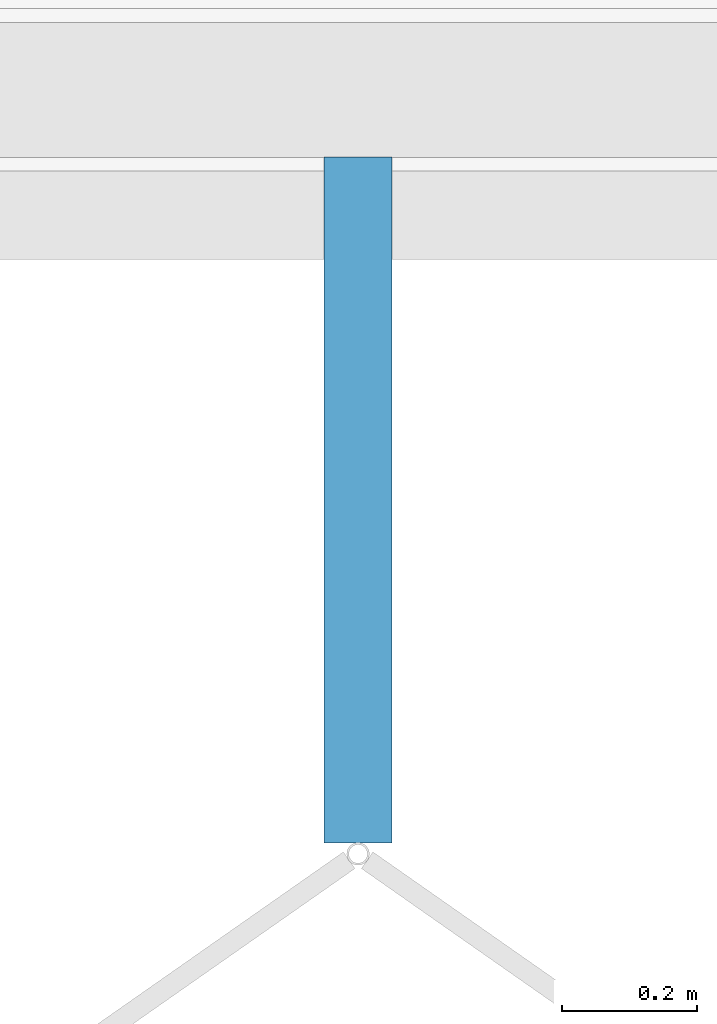
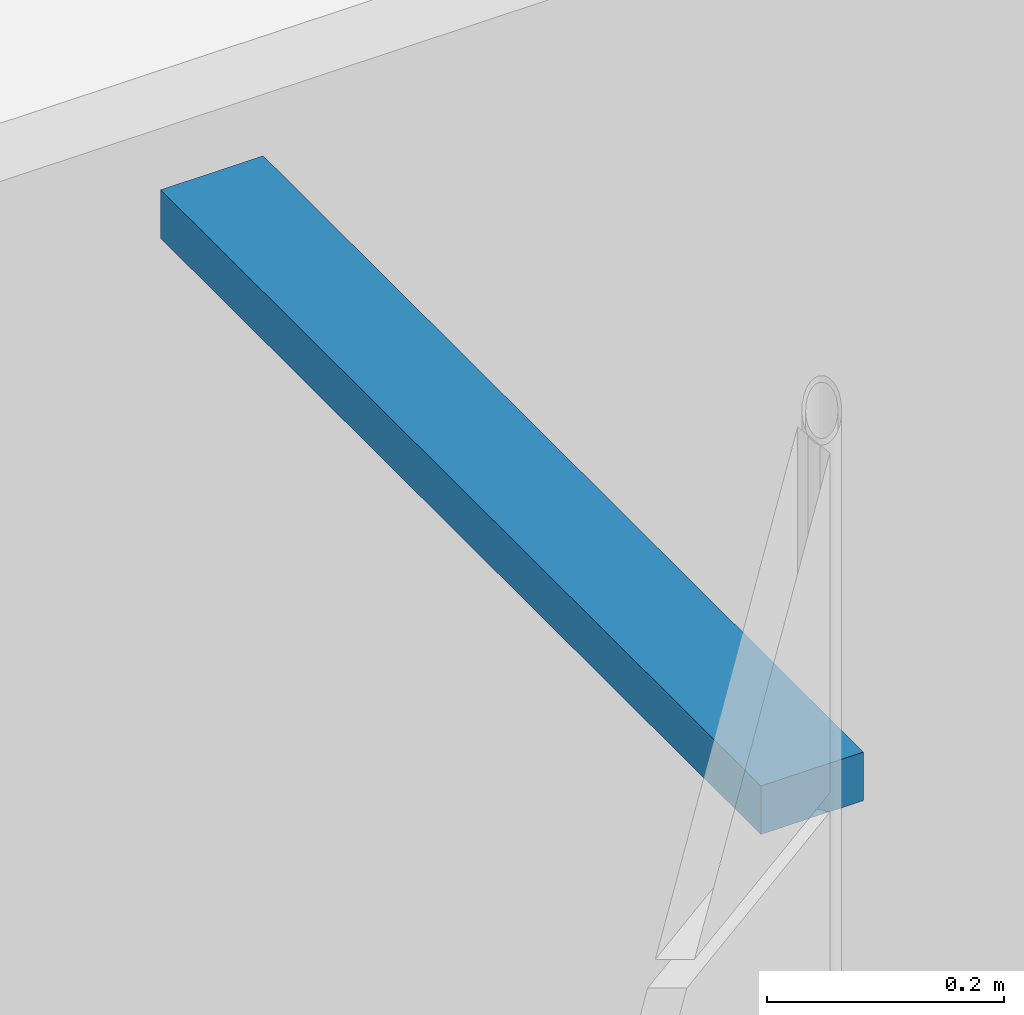
# One storey, part 237 of 483: 1 discrete accessory.
"""IFC4 building model written with IfcOpenShell, lengths in metres."""

from ifc_helpers import new_model, si_unit, direction, frame, origin, origin_2d, place, context, subcontext, project, spatial, rectangle, extrude, material, type_object, element, save


model = new_model("IFC4")

# Units and contexts
model_context = context("Model", 3, precision=1e-05, world=origin(), true_north=direction((0.0, 1.0)))
body_context = subcontext(model_context, "Body", "Model", "MODEL_VIEW")
ifc_project = project(units=[si_unit("LENGTHUNIT", "METRE"), si_unit("AREAUNIT", "SQUARE_METRE"), si_unit("VOLUMEUNIT", "CUBIC_METRE"), si_unit("PLANEANGLEUNIT", "RADIAN"), si_unit("MASSUNIT", "GRAM", prefix="KILO")], contexts=[model_context])

# Site, building, storey
site_placement = place(None, origin())
site = spatial("IfcSite", under=ifc_project, at=site_placement, CompositionType="ELEMENT")
building_placement = place(site_placement, origin())
building = spatial("IfcBuilding", under=site, at=building_placement, Name="Parallax Yard Mobility Hub", CompositionType="ELEMENT")
storey_placement = place(building_placement, frame((0.0, 0.0, 13.199951171875)))
storey = spatial("IfcBuildingStorey", under=building, at=storey_placement, Name="L04", CompositionType="ELEMENT", Elevation=13.199951171875)

# Discrete accessory
ifc_material = material(Name="Steel ASTM A36, hot-dip galvanised", Category="steel")
discrete_accessory_type = type_object("IfcDiscreteAccessoryType", Name="Hinge bracket plate 100x50", PredefinedType="BRACKET", material=ifc_material)
discrete_accessory_placement = place(storey_placement, frame((171.423583984375, 112.03955078125, 1.06982421875), z_axis=(0.0, 0.0, 1.0), x_axis=(0.0, -1.0, 0.0)))
element("IfcDiscreteAccessory", 1, at=discrete_accessory_placement, inside=storey, type_object=discrete_accessory_type, Name="Hinge bracket plate bay 17.7 level L04", PredefinedType="BRACKET", context=body_context, shape_type="SweptSolid", body=[
    extrude(rectangle(XDim=1.01416015625, YDim=0.10009765625, at=origin_2d()), origin(), (0.0, 0.0, 1.0), 0.050048828125),
])

save(model, "model.ifc")
